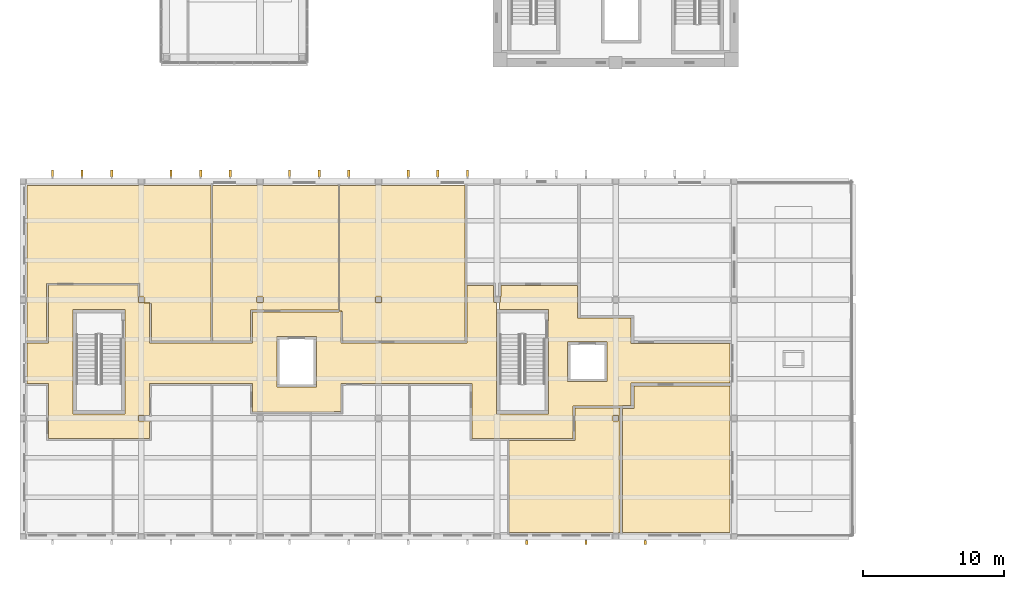
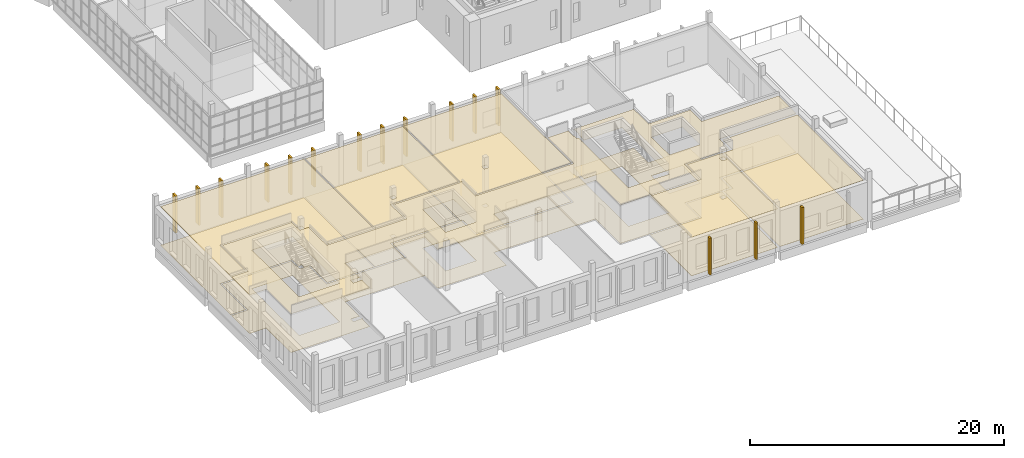
# One storey, part 77 of 103: 27 coverings.
"""IFC4 building model written with IfcOpenShell, lengths in metres."""

from ifc_helpers import new_model, si_unit, direction, frame, origin, place, context, subcontext, project, spatial, polyline, outline, extrude, material, layer, layer_set, type_object, element, save


model = new_model("IFC4")

# Units and contexts
model_context = context("Model", 3, precision=1e-05, world=origin(), true_north=direction((0.0, 1.0)))
body_context = subcontext(model_context, "Body", "Model", "MODEL_VIEW")
ifc_project = project(units=[si_unit("LENGTHUNIT", "METRE"), si_unit("AREAUNIT", "SQUARE_METRE"), si_unit("VOLUMEUNIT", "CUBIC_METRE"), si_unit("PLANEANGLEUNIT", "RADIAN"), si_unit("MASSUNIT", "GRAM", prefix="KILO")], contexts=[model_context])

# Site, building, storey
site_placement = place(None, origin())
site = spatial("IfcSite", under=ifc_project, at=site_placement, CompositionType="ELEMENT")
building_placement = place(site_placement, origin())
building = spatial("IfcBuilding", under=site, at=building_placement, Name="Larchfold Concert Hall", CompositionType="ELEMENT")
storey_placement = place(building_placement, frame((0.0, 0.0, 9.60009765625)))
storey = spatial("IfcBuildingStorey", under=building, at=storey_placement, Name="L02", CompositionType="ELEMENT", Elevation=9.60009765625)

# Coverings
ifc_material_1 = material(Name="Mineral fibre ceiling tile")
ifc_layer_1 = layer(ifc_material_1, 0.02001953125)
ifc_layer_set_1 = layer_set([ifc_layer_1], Name="Mineral fibre ceiling tile")
covering_type_1 = type_object("IfcCoveringType", Name="Ceiling mineral fibre tile 20", PredefinedType="CEILING", material=ifc_layer_set_1)
covering_1_placement = place(storey_placement, frame((0.0, 0.0, 3.719970703125)))
element("IfcCovering", 1, at=covering_1_placement, inside=storey, type_object=covering_type_1, Name="Ceiling Corridor 03", PredefinedType="CEILING", context=body_context, shape_type="SweptSolid", body=[
    extrude(outline(polyline([(2.41357421875, 14.33740234375), (0.900146484375, 14.33740234375), (0.900146484375, 11.46240234375), (2.41259765625, 11.46240234375), (2.41259765625, 7.5625), (9.58642578125, 7.5634765625), (9.58642578125, 8.74755859375), (9.6494140625, 8.74755859375), (9.6494140625, 8.81005859375), (9.199951171875, 8.814453125), (9.199951171875, 8.800048828125), (8.800048828125, 8.800048828125), (8.800048828125, 9.199951171875), (9.199951171875, 9.199951171875), (9.199951171875, 9.18994140625), (9.58740234375, 9.18994140625), (9.58740234375, 11.46240234375), (16.862548828125, 11.46240234375), (16.862548828125, 9.46240234375), (23.136474609375, 9.46337890625), (23.136474609375, 9.40087890625), (23.137451171875, 11.46337890625), (32.41259765625, 11.46240234375), (32.41259765625, 7.5625), (39.58740234375, 7.5625), (39.58740234375, 9.862548828125), (43.10009765625, 9.862548828125), (43.10009765625, 9.901123046875), (43.698974609375, 9.901123046875), (43.699951171875, 11.501220703125), (50.699951171875, 11.5), (50.699951171875, 14.2998046875), (43.699951171875, 14.299072265625), (43.698974609375, 16.098876953125), (39.89990234375, 16.09912109375), (39.89990234375, 18.425048828125), (34.465087890625, 18.425048828125), (34.46484375, 18.49951171875), (34.462890625, 17.61962890625), (34.388427734375, 17.619873046875), (34.388427734375, 17.599853515625), (34.39990234375, 17.599853515625), (34.39990234375, 17.199951171875), (34.388427734375, 17.199951171875), (34.389892578125, 16.699951171875), (37.85009765625, 16.699951171875), (37.85009765625, 9.300048828125), (34.14990234375, 9.300048828125), (34.14990234375, 16.699951171875), (34.162109375, 17.199951171875), (34.0, 17.199951171875), (34.0, 17.599853515625), (34.010009765625, 17.60009765625), (33.93505859375, 17.60009765625), (33.93505859375, 18.425048828125), (32.0625, 18.425048828125), (32.0625, 14.33642578125), (23.137451171875, 14.33642578125), (23.136474609375, 16.53662109375), (23.198974609375, 16.53662109375), (23.198974609375, 16.59912109375), (23.02001953125, 16.59912109375), (23.02001953125, 16.53662109375), (16.863525390625, 16.53662109375), (16.863525390625, 16.59912109375), (16.862548828125, 14.33642578125), (9.58740234375, 14.33642578125), (9.58642578125, 17.1474609375), (9.6494140625, 17.1474609375), (9.6494140625, 17.2099609375), (9.199951171875, 17.21142578125), (9.199951171875, 17.199951171875), (8.800048828125, 17.199951171875), (8.800048828125, 17.599853515625), (8.8134765625, 17.599853515625), (8.8134765625, 17.619873046875), (8.75048828125, 17.61962890625), (8.74755859375, 18.489013671875), (8.74755859375, 18.4365234375), (2.41357421875, 18.4365234375), (2.41357421875, 14.33740234375)]), holes=[polyline([(39.199951171875, 11.60009765625), (39.199951171875, 14.39990234375), (42.0, 14.39990234375), (42.0, 11.60009765625), (39.199951171875, 11.60009765625)]), polyline([(18.60009765625, 11.199951171875), (18.60009765625, 14.800048828125), (21.39990234375, 14.800048828125), (21.39990234375, 11.199951171875), (18.60009765625, 11.199951171875)]), polyline([(7.85009765625, 9.300048828125), (4.14990234375, 9.300048828125), (4.14990234375, 16.699951171875), (7.842529296875, 16.699951171875), (7.85009765625, 16.696044921875), (7.85009765625, 9.300048828125)])]), origin(), (0.0, 0.0, 1.0), 0.02001953125),
])
ifc_material_2 = material(Name="Plasterboard ceiling lining")
ifc_layer_2 = layer(ifc_material_2, 0.030029296875)
ifc_layer_set_2 = layer_set([ifc_layer_2], Name="Plasterboard ceiling lining")
covering_type_2 = type_object("IfcCoveringType", Name="Ceiling suspended plasterboard 30", PredefinedType="CEILING", material=ifc_layer_set_2)
covering_2_placement = place(storey_placement, frame((0.0, 0.0, 3.7099609375)))
element("IfcCovering", 2, at=covering_2_placement, inside=storey, type_object=covering_type_2, Name="Ceiling Meeting Room 02", PredefinedType="CEILING", context=body_context, shape_type="SweptSolid", body=[
    extrude(outline(polyline([(35.050048828125, 0.900146484375), (42.89990234375, 0.900146484375), (42.89990234375, 9.737548828125), (39.71240234375, 9.737548828125), (39.71240234375, 7.4375), (35.050048828125, 7.4375), (35.050048828125, 0.900146484375)]), holes=[polyline([(42.800048828125, 8.800048828125), (42.400146484375, 8.800048828125), (42.400146484375, 9.199951171875), (42.800048828125, 9.199951171875), (42.800048828125, 8.800048828125)])]), origin(), (0.0, 0.0, 1.0), 0.030029296875),
])
covering_3_placement = place(storey_placement, frame((0.0, 0.0, 3.7099609375)))
element("IfcCovering", 3, at=covering_3_placement, inside=storey, type_object=covering_type_2, Name="Ceiling Practice Room 01", PredefinedType="CEILING", context=body_context, shape_type="SweptSolid", body=[
    extrude(outline(polyline([(43.10009765625, 9.700927734375), (43.10009765625, 0.900146484375), (50.699951171875, 0.900146484375), (50.699951171875, 11.2998046875), (43.900146484375, 11.301025390625), (43.89892578125, 9.700927734375), (43.10009765625, 9.700927734375)])), origin(), (0.0, 0.0, 1.0), 0.030029296875),
])
covering_4_placement = place(storey_placement, frame((0.0, 0.0, 3.7099609375)))
element("IfcCovering", 4, at=covering_4_placement, inside=storey, type_object=covering_type_2, Name="Ceiling Music Library Reading Room", PredefinedType="CEILING", context=body_context, shape_type="SweptSolid", body=[
    extrude(outline(polyline([(8.872314453125, 18.561767578125), (8.87548828125, 17.6201171875), (8.78271484375, 17.619873046875), (8.78271484375, 17.583984375), (8.800048828125, 17.570556640625), (8.800048828125, 17.599853515625), (9.199951171875, 17.599853515625), (9.199951171875, 17.199951171875), (9.1630859375, 17.199951171875), (9.167236328125, 17.192138671875), (9.199951171875, 17.179931640625), (9.619384765625, 17.179931640625), (9.619384765625, 17.1474609375), (9.71142578125, 17.1474609375), (9.71240234375, 14.39990234375), (9.71240234375, 14.46142578125), (14.0, 14.46142578125), (13.949951171875, 14.465087890625), (13.949951171875, 25.5), (0.900146484375, 25.5), (0.900146484375, 14.46240234375), (2.28857421875, 14.46240234375), (2.28857421875, 18.5615234375), (8.872314453125, 18.561767578125)])), origin(), (0.0, 0.0, 1.0), 0.030029296875),
])
covering_5_placement = place(storey_placement, frame((0.0, 0.0, 3.7099609375)))
element("IfcCovering", 5, at=covering_5_placement, inside=storey, type_object=covering_type_2, Name="Ceiling Education Studio 02", PredefinedType="CEILING", context=body_context, shape_type="SweptSolid", body=[
    extrude(outline(polyline([(23.0, 16.66162109375), (23.02001953125, 16.66162109375), (23.02001953125, 16.60009765625), (23.199951171875, 16.60009765625), (23.199951171875, 16.53662109375), (23.261474609375, 16.53662109375), (23.262451171875, 14.39990234375), (23.262451171875, 14.46142578125), (31.9375, 14.46142578125), (31.9375, 18.574951171875), (31.925048828125, 18.574951171875), (31.925048828125, 25.5), (23.050048828125, 25.5), (23.050048828125, 16.6650390625), (23.0, 16.66162109375)]), holes=[polyline([(26.0, 17.199951171875), (25.60009765625, 17.199951171875), (25.60009765625, 17.599853515625), (26.0, 17.599853515625), (26.0, 17.199951171875)])]), origin(), (0.0, 0.0, 1.0), 0.030029296875),
])
covering_6_placement = place(storey_placement, frame((0.0, 0.0, 3.7099609375)))
element("IfcCovering", 6, at=covering_6_placement, inside=storey, type_object=covering_type_2, Name="Ceiling Education Studio 01", PredefinedType="CEILING", context=body_context, shape_type="SweptSolid", body=[
    extrude(outline(polyline([(14.0, 14.46142578125), (16.737548828125, 14.46142578125), (16.738525390625, 16.66162109375), (23.0, 16.66162109375), (22.949951171875, 16.6650390625), (22.949951171875, 25.5), (14.050048828125, 25.5), (14.050048828125, 14.465087890625), (14.0, 14.46142578125)]), holes=[polyline([(17.199951171875, 17.599853515625), (17.599853515625, 17.599853515625), (17.599853515625, 17.199951171875), (17.199951171875, 17.199951171875), (17.199951171875, 17.599853515625)])]), origin(), (0.0, 0.0, 1.0), 0.030029296875),
])
ifc_material_3 = material(Name="Linoleum sheet")
ifc_layer_3 = layer(ifc_material_3, 0.02001953125)
ifc_layer_set_3 = layer_set([ifc_layer_3], Name="Linoleum sheet")
covering_type_3 = type_object("IfcCoveringType", Name="Floor finish vinyl 20", PredefinedType="FLOORING", material=ifc_layer_set_3)
covering_7_placement = place(storey_placement, origin())
element("IfcCovering", 7, at=covering_7_placement, inside=storey, type_object=covering_type_3, Name="Floor finish Meeting Room 02", PredefinedType="FLOORING", context=body_context, shape_type="SweptSolid", body=[
    extrude(outline(polyline([(35.050048828125, 0.900146484375), (42.89990234375, 0.900146484375), (42.89990234375, 9.737548828125), (39.71240234375, 9.737548828125), (39.71240234375, 7.4375), (35.050048828125, 7.4375), (35.050048828125, 0.900146484375)]), holes=[polyline([(42.800048828125, 8.800048828125), (42.400146484375, 8.800048828125), (42.400146484375, 9.199951171875), (42.800048828125, 9.199951171875), (42.800048828125, 8.800048828125)])]), origin(), (0.0, 0.0, 1.0), 0.02001953125),
])
covering_8_placement = place(storey_placement, origin())
element("IfcCovering", 8, at=covering_8_placement, inside=storey, type_object=covering_type_3, Name="Floor finish Corridor 03", PredefinedType="FLOORING", context=body_context, shape_type="SweptSolid", body=[
    extrude(outline(polyline([(2.41357421875, 14.33740234375), (0.900146484375, 14.33740234375), (0.900146484375, 11.46240234375), (2.41259765625, 11.46240234375), (2.41259765625, 7.5625), (9.58642578125, 7.5634765625), (9.58642578125, 8.74755859375), (9.6494140625, 8.74755859375), (9.6494140625, 8.81005859375), (9.199951171875, 8.814453125), (9.199951171875, 8.800048828125), (8.800048828125, 8.800048828125), (8.800048828125, 9.199951171875), (9.199951171875, 9.199951171875), (9.199951171875, 9.18994140625), (9.58740234375, 9.18994140625), (9.58740234375, 11.46240234375), (16.862548828125, 11.46240234375), (16.862548828125, 9.46240234375), (23.136474609375, 9.46337890625), (23.136474609375, 9.40087890625), (23.137451171875, 11.46337890625), (32.41259765625, 11.46240234375), (32.41259765625, 7.5625), (39.58740234375, 7.5625), (39.58740234375, 9.862548828125), (43.10009765625, 9.862548828125), (43.10009765625, 9.901123046875), (43.698974609375, 9.901123046875), (43.699951171875, 11.501220703125), (50.699951171875, 11.5), (50.699951171875, 14.2998046875), (43.699951171875, 14.299072265625), (43.698974609375, 16.098876953125), (39.89990234375, 16.09912109375), (39.89990234375, 18.425048828125), (34.465087890625, 18.425048828125), (34.46484375, 18.49951171875), (34.462890625, 17.61962890625), (34.388427734375, 17.619873046875), (34.388427734375, 17.599853515625), (34.39990234375, 17.599853515625), (34.39990234375, 17.199951171875), (34.388427734375, 17.199951171875), (34.389892578125, 16.699951171875), (37.85009765625, 16.699951171875), (37.85009765625, 9.300048828125), (34.14990234375, 9.300048828125), (34.14990234375, 16.699951171875), (34.162109375, 17.199951171875), (34.0, 17.199951171875), (34.0, 17.599853515625), (34.010009765625, 17.60009765625), (33.93505859375, 17.60009765625), (33.93505859375, 18.425048828125), (32.0625, 18.425048828125), (32.0625, 14.33642578125), (23.137451171875, 14.33642578125), (23.136474609375, 16.53662109375), (23.198974609375, 16.53662109375), (23.198974609375, 16.59912109375), (23.02001953125, 16.59912109375), (23.02001953125, 16.53662109375), (16.863525390625, 16.53662109375), (16.863525390625, 16.59912109375), (16.862548828125, 14.33642578125), (9.58740234375, 14.33642578125), (9.58642578125, 17.1474609375), (9.6494140625, 17.1474609375), (9.6494140625, 17.2099609375), (9.199951171875, 17.21142578125), (9.199951171875, 17.199951171875), (8.800048828125, 17.199951171875), (8.800048828125, 17.599853515625), (8.8134765625, 17.599853515625), (8.8134765625, 17.619873046875), (8.75048828125, 17.61962890625), (8.74755859375, 18.489013671875), (8.74755859375, 18.4365234375), (2.41357421875, 18.4365234375), (2.41357421875, 14.33740234375)]), holes=[polyline([(39.199951171875, 11.60009765625), (39.199951171875, 14.39990234375), (42.0, 14.39990234375), (42.0, 11.60009765625), (39.199951171875, 11.60009765625)]), polyline([(18.60009765625, 11.199951171875), (18.60009765625, 14.800048828125), (21.39990234375, 14.800048828125), (21.39990234375, 11.199951171875), (18.60009765625, 11.199951171875)]), polyline([(7.85009765625, 9.300048828125), (4.14990234375, 9.300048828125), (4.14990234375, 16.699951171875), (7.842529296875, 16.699951171875), (7.85009765625, 16.696044921875), (7.85009765625, 9.300048828125)])]), origin(), (0.0, 0.0, 1.0), 0.02001953125),
])
covering_9_placement = place(storey_placement, origin())
element("IfcCovering", 9, at=covering_9_placement, inside=storey, type_object=covering_type_3, Name="Floor finish Practice Room 01", PredefinedType="FLOORING", context=body_context, shape_type="SweptSolid", body=[
    extrude(outline(polyline([(43.10009765625, 9.700927734375), (43.10009765625, 0.900146484375), (50.699951171875, 0.900146484375), (50.699951171875, 11.2998046875), (43.900146484375, 11.301025390625), (43.89892578125, 9.700927734375), (43.10009765625, 9.700927734375)])), origin(), (0.0, 0.0, 1.0), 0.02001953125),
])
covering_10_placement = place(storey_placement, origin())
element("IfcCovering", 10, at=covering_10_placement, inside=storey, type_object=covering_type_3, Name="Floor finish Music Library Reading Room", PredefinedType="FLOORING", context=body_context, shape_type="SweptSolid", body=[
    extrude(outline(polyline([(8.872314453125, 18.561767578125), (8.87548828125, 17.6201171875), (8.78271484375, 17.619873046875), (8.78271484375, 17.583984375), (8.800048828125, 17.570556640625), (8.800048828125, 17.599853515625), (9.199951171875, 17.599853515625), (9.199951171875, 17.199951171875), (9.1630859375, 17.199951171875), (9.167236328125, 17.192138671875), (9.199951171875, 17.179931640625), (9.619384765625, 17.179931640625), (9.619384765625, 17.1474609375), (9.71142578125, 17.1474609375), (9.71240234375, 14.39990234375), (9.71240234375, 14.46142578125), (14.0, 14.46142578125), (13.949951171875, 14.465087890625), (13.949951171875, 25.5), (0.900146484375, 25.5), (0.900146484375, 14.46240234375), (2.28857421875, 14.46240234375), (2.28857421875, 18.5615234375), (8.872314453125, 18.561767578125)])), origin(), (0.0, 0.0, 1.0), 0.02001953125),
])
covering_11_placement = place(storey_placement, origin())
element("IfcCovering", 11, at=covering_11_placement, inside=storey, type_object=covering_type_3, Name="Floor finish Education Studio 02", PredefinedType="FLOORING", context=body_context, shape_type="SweptSolid", body=[
    extrude(outline(polyline([(23.0, 16.66162109375), (23.02001953125, 16.66162109375), (23.02001953125, 16.60009765625), (23.199951171875, 16.60009765625), (23.199951171875, 16.53662109375), (23.261474609375, 16.53662109375), (23.262451171875, 14.39990234375), (23.262451171875, 14.46142578125), (31.9375, 14.46142578125), (31.9375, 18.574951171875), (31.925048828125, 18.574951171875), (31.925048828125, 25.5), (23.050048828125, 25.5), (23.050048828125, 16.6650390625), (23.0, 16.66162109375)]), holes=[polyline([(26.0, 17.199951171875), (25.60009765625, 17.199951171875), (25.60009765625, 17.599853515625), (26.0, 17.599853515625), (26.0, 17.199951171875)])]), origin(), (0.0, 0.0, 1.0), 0.02001953125),
])
covering_12_placement = place(storey_placement, origin())
element("IfcCovering", 12, at=covering_12_placement, inside=storey, type_object=covering_type_3, Name="Floor finish Education Studio 01", PredefinedType="FLOORING", context=body_context, shape_type="SweptSolid", body=[
    extrude(outline(polyline([(14.0, 14.46142578125), (16.737548828125, 14.46142578125), (16.738525390625, 16.66162109375), (23.0, 16.66162109375), (22.949951171875, 16.6650390625), (22.949951171875, 25.5), (14.050048828125, 25.5), (14.050048828125, 14.465087890625), (14.0, 14.46142578125)]), holes=[polyline([(17.199951171875, 17.599853515625), (17.599853515625, 17.599853515625), (17.599853515625, 17.199951171875), (17.199951171875, 17.199951171875), (17.199951171875, 17.599853515625)])]), origin(), (0.0, 0.0, 1.0), 0.02001953125),
])
ifc_material_4 = material(Name="Glulam GL30c", Category="wood")
ifc_layer_4 = layer(ifc_material_4, 0.159912109375)
ifc_layer_set_4 = layer_set([ifc_layer_4], Name="Glulam GL30c")
covering_type_4 = type_object("IfcCoveringType", Name="Glulam fin 160x300", PredefinedType="CLADDING", material=ifc_layer_set_4)
covering_13_placement = place(storey_placement, frame((0.0, 0.0, 0.199951171875)))
element("IfcCovering", 13, at=covering_13_placement, inside=storey, type_object=covering_type_4, Name="Glulam fin FN-L02-027", PredefinedType="CLADDING", context=body_context, shape_type="SweptSolid", body=[
    extrude(outline(polyline([(36.3798828125, 0.050048828125), (36.3798828125, 0.35009765625), (36.219970703125, 0.35009765625), (36.219970703125, 0.050048828125), (36.3798828125, 0.050048828125)])), origin(), (0.0, 0.0, 1.0), 3.5400390625),
])
covering_14_placement = place(storey_placement, frame((0.0, 0.0, 0.199951171875)))
element("IfcCovering", 14, at=covering_14_placement, inside=storey, type_object=covering_type_4, Name="Glulam fin FN-L02-028", PredefinedType="CLADDING", context=body_context, shape_type="SweptSolid", body=[
    extrude(outline(polyline([(40.580078125, 0.050048828125), (40.580078125, 0.35009765625), (40.419921875, 0.35009765625), (40.419921875, 0.050048828125), (40.580078125, 0.050048828125)])), origin(), (0.0, 0.0, 1.0), 3.5400390625),
])
covering_15_placement = place(storey_placement, frame((0.0, 0.0, 0.199951171875)))
element("IfcCovering", 15, at=covering_15_placement, inside=storey, type_object=covering_type_4, Name="Glulam fin FN-L02-029", PredefinedType="CLADDING", context=body_context, shape_type="SweptSolid", body=[
    extrude(outline(polyline([(44.780029296875, 0.050048828125), (44.780029296875, 0.35009765625), (44.6201171875, 0.35009765625), (44.6201171875, 0.050048828125), (44.780029296875, 0.050048828125)])), origin(), (0.0, 0.0, 1.0), 3.5400390625),
])
ifc_material_5 = material(Name="Glulam GL30c", Category="wood")
ifc_layer_5 = layer(ifc_material_5, 0.159912109375)
ifc_layer_set_5 = layer_set([ifc_layer_5], Name="Glulam GL30c")
covering_type_5 = type_object("IfcCoveringType", Name="Glulam fin 160x500", PredefinedType="CLADDING", material=ifc_layer_set_5)
covering_16_placement = place(storey_placement, frame((0.0, 0.0, 0.199951171875)))
element("IfcCovering", 16, at=covering_16_placement, inside=storey, type_object=covering_type_5, Name="Glulam fin FN-L02-007", PredefinedType="CLADDING", context=body_context, shape_type="SweptSolid", body=[
    extrude(outline(polyline([(27.97998046875, 26.10009765625), (27.97998046875, 26.60009765625), (27.820068359375, 26.60009765625), (27.820068359375, 26.10009765625), (27.97998046875, 26.10009765625)])), origin(), (0.0, 0.0, 1.0), 3.5400390625),
])
covering_17_placement = place(storey_placement, frame((0.0, 0.0, 0.199951171875)))
element("IfcCovering", 17, at=covering_17_placement, inside=storey, type_object=covering_type_5, Name="Glulam fin FN-L02-008", PredefinedType="CLADDING", context=body_context, shape_type="SweptSolid", body=[
    extrude(outline(polyline([(30.080078125, 26.10009765625), (30.080078125, 26.60009765625), (29.919921875, 26.60009765625), (29.919921875, 26.10009765625), (30.080078125, 26.10009765625)])), origin(), (0.0, 0.0, 1.0), 3.5400390625),
])
covering_18_placement = place(storey_placement, frame((0.0, 0.0, 0.199951171875)))
element("IfcCovering", 18, at=covering_18_placement, inside=storey, type_object=covering_type_5, Name="Glulam fin FN-L02-009", PredefinedType="CLADDING", context=body_context, shape_type="SweptSolid", body=[
    extrude(outline(polyline([(32.179931640625, 26.10009765625), (32.179931640625, 26.60009765625), (32.02001953125, 26.60009765625), (32.02001953125, 26.10009765625), (32.179931640625, 26.10009765625)])), origin(), (0.0, 0.0, 1.0), 3.5400390625),
])
covering_19_placement = place(storey_placement, frame((0.0, 0.0, 0.199951171875)))
element("IfcCovering", 19, at=covering_19_placement, inside=storey, type_object=covering_type_5, Name="Glulam fin FN-L02-010", PredefinedType="CLADDING", context=body_context, shape_type="SweptSolid", body=[
    extrude(outline(polyline([(19.580078125, 26.10009765625), (19.580078125, 26.60009765625), (19.419921875, 26.60009765625), (19.419921875, 26.10009765625), (19.580078125, 26.10009765625)])), origin(), (0.0, 0.0, 1.0), 3.5400390625),
])
covering_20_placement = place(storey_placement, frame((0.0, 0.0, 0.199951171875)))
element("IfcCovering", 20, at=covering_20_placement, inside=storey, type_object=covering_type_5, Name="Glulam fin FN-L02-011", PredefinedType="CLADDING", context=body_context, shape_type="SweptSolid", body=[
    extrude(outline(polyline([(21.679931640625, 26.10009765625), (21.679931640625, 26.60009765625), (21.52001953125, 26.60009765625), (21.52001953125, 26.10009765625), (21.679931640625, 26.10009765625)])), origin(), (0.0, 0.0, 1.0), 3.5400390625),
])
covering_21_placement = place(storey_placement, frame((0.0, 0.0, 0.199951171875)))
element("IfcCovering", 21, at=covering_21_placement, inside=storey, type_object=covering_type_5, Name="Glulam fin FN-L02-012", PredefinedType="CLADDING", context=body_context, shape_type="SweptSolid", body=[
    extrude(outline(polyline([(23.780029296875, 26.10009765625), (23.780029296875, 26.60009765625), (23.6201171875, 26.60009765625), (23.6201171875, 26.10009765625), (23.780029296875, 26.10009765625)])), origin(), (0.0, 0.0, 1.0), 3.5400390625),
])
covering_22_placement = place(storey_placement, frame((0.0, 0.0, 0.199951171875)))
element("IfcCovering", 22, at=covering_22_placement, inside=storey, type_object=covering_type_5, Name="Glulam fin FN-L02-013", PredefinedType="CLADDING", context=body_context, shape_type="SweptSolid", body=[
    extrude(outline(polyline([(11.179931640625, 26.10009765625), (11.179931640625, 26.60009765625), (11.02001953125, 26.60009765625), (11.02001953125, 26.10009765625), (11.179931640625, 26.10009765625)])), origin(), (0.0, 0.0, 1.0), 3.5400390625),
])
covering_23_placement = place(storey_placement, frame((0.0, 0.0, 0.199951171875)))
element("IfcCovering", 23, at=covering_23_placement, inside=storey, type_object=covering_type_5, Name="Glulam fin FN-L02-014", PredefinedType="CLADDING", context=body_context, shape_type="SweptSolid", body=[
    extrude(outline(polyline([(13.280029296875, 26.10009765625), (13.280029296875, 26.60009765625), (13.1201171875, 26.60009765625), (13.1201171875, 26.10009765625), (13.280029296875, 26.10009765625)])), origin(), (0.0, 0.0, 1.0), 3.5400390625),
])
covering_24_placement = place(storey_placement, frame((0.0, 0.0, 0.199951171875)))
element("IfcCovering", 24, at=covering_24_placement, inside=storey, type_object=covering_type_5, Name="Glulam fin FN-L02-015", PredefinedType="CLADDING", context=body_context, shape_type="SweptSolid", body=[
    extrude(outline(polyline([(15.3798828125, 26.10009765625), (15.3798828125, 26.60009765625), (15.219970703125, 26.60009765625), (15.219970703125, 26.10009765625), (15.3798828125, 26.10009765625)])), origin(), (0.0, 0.0, 1.0), 3.5400390625),
])
covering_25_placement = place(storey_placement, frame((0.0, 0.0, 0.199951171875)))
element("IfcCovering", 25, at=covering_25_placement, inside=storey, type_object=covering_type_5, Name="Glulam fin FN-L02-016", PredefinedType="CLADDING", context=body_context, shape_type="SweptSolid", body=[
    extrude(outline(polyline([(2.780029296875, 26.10009765625), (2.780029296875, 26.60009765625), (2.6201171875, 26.60009765625), (2.6201171875, 26.10009765625), (2.780029296875, 26.10009765625)])), origin(), (0.0, 0.0, 1.0), 3.5400390625),
])
covering_26_placement = place(storey_placement, frame((0.0, 0.0, 0.199951171875)))
element("IfcCovering", 26, at=covering_26_placement, inside=storey, type_object=covering_type_5, Name="Glulam fin FN-L02-017", PredefinedType="CLADDING", context=body_context, shape_type="SweptSolid", body=[
    extrude(outline(polyline([(4.8798828125, 26.10009765625), (4.8798828125, 26.60009765625), (4.719970703125, 26.60009765625), (4.719970703125, 26.10009765625), (4.8798828125, 26.10009765625)])), origin(), (0.0, 0.0, 1.0), 3.5400390625),
])
covering_27_placement = place(storey_placement, frame((0.0, 0.0, 0.199951171875)))
element("IfcCovering", 27, at=covering_27_placement, inside=storey, type_object=covering_type_5, Name="Glulam fin FN-L02-018", PredefinedType="CLADDING", context=body_context, shape_type="SweptSolid", body=[
    extrude(outline(polyline([(6.97998046875, 26.10009765625), (6.97998046875, 26.60009765625), (6.820068359375, 26.60009765625), (6.820068359375, 26.10009765625), (6.97998046875, 26.10009765625)])), origin(), (0.0, 0.0, 1.0), 3.5400390625),
])

save(model, "model.ifc")
